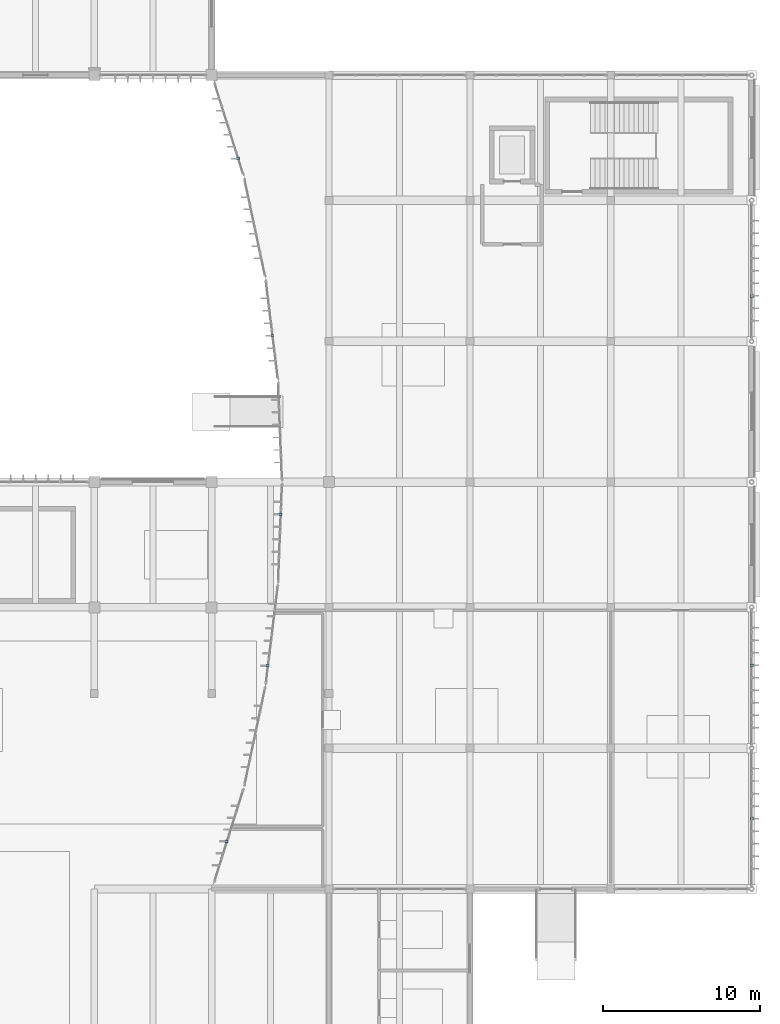
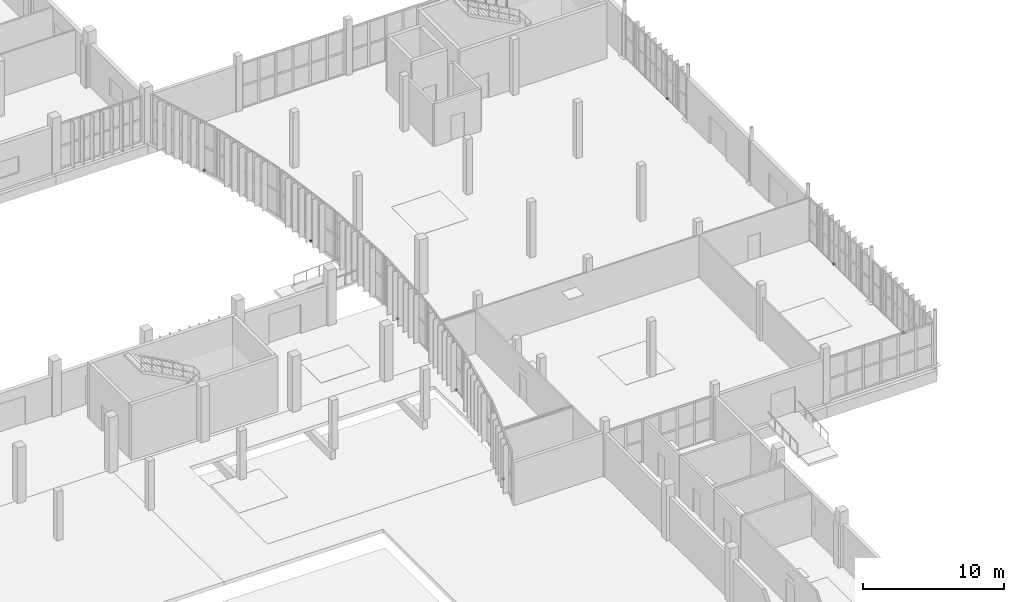
# One storey, part 58 of 72: 8 discrete accessories.
"""IFC4 building model written with IfcOpenShell, lengths in metres."""

import ifcopenshell
import ifcopenshell.guid

model = None  # the IFC model being written
_history = None  # IfcOwnerHistory: only IFC2X3 demands one
_inside = {}  # id of a spatial element -> (the spatial element, [elements in it])
_under = {}  # id of a project, library or spatial element -> (it, [spatial elements below it])
_declared = {}  # id of a project -> (the project, [libraries it declares])
_typed = {}  # id of a type object -> (the type object, [elements of that type])
_made_of = {}  # id of a material, layer set ... -> (it, [elements and type objects made of it])


def new_model(schema):
    """Start an empty IFC model of exactly this schema.

    Asked for "IFC4X3", IfcOpenShell would pick the latest addendum, in which some entities
    have other attributes; the version numbers below select the first issue.
    IFC2X3 requires an IfcOwnerHistory on every rooted entity: one is made here for all.
    """
    global model, _history
    if schema == "IFC4X3":
        model = ifcopenshell.file(schema_version=(4, 3, 0, 0))
    else:
        model = ifcopenshell.file(schema=schema)
    _inside.clear()
    _under.clear()
    _declared.clear()
    _typed.clear()
    _made_of.clear()
    _history = None
    if model.schema == "IFC2X3":
        org = make("IfcOrganization", Name="unknown")
        user = make(
            "IfcPersonAndOrganization",
            ThePerson=make("IfcPerson", FamilyName="unknown"),
            TheOrganization=org,
        )
        app = make(
            "IfcApplication",
            ApplicationDeveloper=org,
            Version="unknown",
            ApplicationFullName="unknown",
            ApplicationIdentifier="unknown",
        )
        _history = make(
            "IfcOwnerHistory",
            OwningUser=user,
            OwningApplication=app,
            ChangeAction="ADDED",
            CreationDate=0,
        )
    return model


def make(cls, **values):
    """One entity of the class cls with the attributes given. An attribute that is None is left unset."""
    return model.create_entity(
        cls, **{name: value for name, value in values.items() if value is not None}
    )


def rooted(cls, **values):
    """An entity with a GlobalId (a new one), such as an element, a storey or a relation."""
    return make(cls, GlobalId=ifcopenshell.guid.new(), OwnerHistory=_history, **values)


def si_unit(unit_type, name, prefix=None):
    """IfcSIUnit, for example si_unit("LENGTHUNIT", "METRE", prefix="MILLI")."""
    return make("IfcSIUnit", UnitType=unit_type, Prefix=prefix, Name=name)


def assignment(units):
    """IfcUnitAssignment: the units of a project."""
    return None if units is None else make("IfcUnitAssignment", Units=units)


def point(xyz):
    """IfcCartesianPoint."""
    return None if xyz is None else make("IfcCartesianPoint", Coordinates=xyz)


def direction(xyz):
    """IfcDirection."""
    return None if xyz is None else make("IfcDirection", DirectionRatios=xyz)


def frame(location, z_axis=None, x_axis=None):
    """IfcAxis2Placement3D, a coordinate frame: its origin and axes. An axis left out is left unset."""
    return make(
        "IfcAxis2Placement3D",
        Location=point(location),
        Axis=direction(z_axis),
        RefDirection=direction(x_axis),
    )


def frame_2d(location, x_axis=None):
    """IfcAxis2Placement2D, a coordinate frame in the plane: its origin and x axis."""
    return make(
        "IfcAxis2Placement2D", Location=point(location), RefDirection=direction(x_axis)
    )


def origin():
    """The frame at (0, 0, 0) with its axes left unset."""
    return frame((0.0, 0.0, 0.0))


def origin_2d():
    """The frame at (0, 0) in the plane with its x axis left unset."""
    return frame_2d((0.0, 0.0))


def place(relative_to, where):
    """IfcLocalPlacement: puts the frame where relative to a parent placement (None: the world)."""
    return make(
        "IfcLocalPlacement", PlacementRelTo=relative_to, RelativePlacement=where
    )


def context(
    kind, dimensions, precision=None, world=None, true_north=None, identifier=None
):
    """IfcGeometricRepresentationContext, for example the 3D "Model" context."""
    return make(
        "IfcGeometricRepresentationContext",
        ContextIdentifier=identifier,
        ContextType=kind,
        CoordinateSpaceDimension=dimensions,
        Precision=precision,
        WorldCoordinateSystem=world,
        TrueNorth=true_north,
    )


def subcontext(parent, identifier, kind, view, scale=None):
    """IfcGeometricRepresentationSubContext, for example "Body" below "Model"."""
    return make(
        "IfcGeometricRepresentationSubContext",
        ContextIdentifier=identifier,
        ContextType=kind,
        ParentContext=parent,
        TargetScale=scale,
        TargetView=view,
    )


def project(units=None, contexts=None):
    """IfcProject with its units and contexts."""
    return rooted(
        "IfcProject",
        Name="project",
        RepresentationContexts=contexts,
        UnitsInContext=assignment(units),
    )


def spatial(cls, under=None, at=None, **own):
    """A site, building, storey or space (cls), placed at a placement, below another one or the project."""
    s = rooted(cls, ObjectPlacement=at, **own)
    if under is not None:
        _under.setdefault(under.id(), (under, []))[1].append(s)
    return s


def profile(cls, at=None, kind="AREA", **sizes):
    """A parametric profile (cls). Its sizes go by their IFC names, for example OverallWidth=200.0."""
    return make(cls, ProfileType=kind, Position=at, **sizes)


def rectangle(**sizes):
    """IfcRectangleProfileDef."""
    return profile("IfcRectangleProfileDef", **sizes)


def extrude(swept, where, along, depth):
    """IfcExtrudedAreaSolid: the profile swept, set in the frame where, extruded along a direction by depth."""
    return make(
        "IfcExtrudedAreaSolid",
        SweptArea=swept,
        Position=where,
        ExtrudedDirection=direction(along),
        Depth=depth,
    )


def shape(context_of_items, identifier, shape_type, items):
    """IfcShapeRepresentation: the items that make up one representation, for example the "Body"."""
    return make(
        "IfcShapeRepresentation",
        ContextOfItems=context_of_items,
        RepresentationIdentifier=identifier,
        RepresentationType=shape_type,
        Items=items,
    )


def material(Name=None, Category=None):
    """IfcMaterial."""
    return make("IfcMaterial", Name=Name, Category=Category)


def made_of(thing, what):
    """Note that an element or type object is made of a material, layer set ...; save() writes the relation."""
    if what is not None:
        _made_of.setdefault(what.id(), (what, []))[1].append(thing)
    return thing


def type_object(cls, material=None, **own):
    """A type object (cls), such as IfcWallType, which elements share."""
    return made_of(rooted(cls, **own), material)


def element(
    cls,
    number,
    at=None,
    inside=None,
    cuts=None,
    type_object=None,
    material=None,
    context=None,
    identifier="Body",
    shape_type=None,
    held_by="IfcProductDefinitionShape",
    body=None,
    shapes=None,
    **own,
):
    """One element of the class cls, such as IfcWall. Its Tag is "e" and its number.

    at: its placement. inside: the storey or other place that contains it. cuts: it is an
    opening in that element (IfcRelVoidsElement). A single representation is given by context,
    identifier, shape_type and body (its items); several are given by shapes. held_by: the class
    of the entity that holds the representations. save() writes the other relations.
    """
    e = rooted(cls, Tag="e%d" % number, ObjectPlacement=at, **own)
    if body is not None:
        shapes = [shape(context, identifier, shape_type, body)]
    if shapes is not None:
        e.Representation = make(held_by, Representations=shapes)
    if inside is not None:
        _inside.setdefault(inside.id(), (inside, []))[1].append(e)
    if cuts is not None:
        rooted(
            "IfcRelVoidsElement", RelatingBuildingElement=cuts, RelatedOpeningElement=e
        )
    if type_object is not None:
        _typed.setdefault(type_object.id(), (type_object, []))[1].append(e)
    return made_of(e, material)


def aggregate(whole, parts):
    """IfcRelAggregates: a whole, such as a stair, and the parts it consists of."""
    return rooted("IfcRelAggregates", RelatingObject=whole, RelatedObjects=parts)


def save(model, path):
    """Write the relations noted so far, then the file.

    IfcRelAggregates (storeys below a building ...), IfcRelContainedInSpatialStructure (elements
    in a storey), IfcRelDefinesByType, IfcRelAssociatesMaterial and IfcRelDeclares: one each for
    every whole, place, type object, material and project.
    """
    for whole, parts in _under.values():
        aggregate(whole, parts)
    for where, things in _inside.values():
        rooted(
            "IfcRelContainedInSpatialStructure",
            RelatedElements=things,
            RelatingStructure=where,
        )
    for kind, things in _typed.values():
        rooted("IfcRelDefinesByType", RelatedObjects=things, RelatingType=kind)
    for what, things in _made_of.values():
        rooted("IfcRelAssociatesMaterial", RelatedObjects=things, RelatingMaterial=what)
    for by, libraries in _declared.values():
        rooted("IfcRelDeclares", RelatingContext=by, RelatedDefinitions=libraries)
    model.write(path)


model = new_model("IFC4")

# Units and contexts
model_context = context("Model", 3, precision=1e-05, world=origin(), true_north=direction((0.0, 1.0)))
body_context = subcontext(model_context, "Body", "Model", "MODEL_VIEW")
ifc_project = project(units=[si_unit("LENGTHUNIT", "METRE"), si_unit("AREAUNIT", "SQUARE_METRE"), si_unit("VOLUMEUNIT", "CUBIC_METRE"), si_unit("PLANEANGLEUNIT", "RADIAN"), si_unit("MASSUNIT", "GRAM", prefix="KILO")], contexts=[model_context])

# Site, building, storey
site_placement = place(None, origin())
site = spatial("IfcSite", under=ifc_project, at=site_placement, CompositionType="ELEMENT")
building_placement = place(site_placement, origin())
building = spatial("IfcBuilding", under=site, at=building_placement, Name="Vourika Railside Aquatics Centre", CompositionType="ELEMENT")
storey_placement = place(building_placement, origin())
storey = spatial("IfcBuildingStorey", under=building, at=storey_placement, Name="L00", CompositionType="ELEMENT", Elevation=0.0)

# Discrete accessories
ifc_material = material(Name="Duplex stainless steel EN 1.4462", Category="steel")
discrete_accessory_type = type_object("IfcDiscreteAccessoryType", Name="ACC-BRK-180", PredefinedType="BRACKET", material=ifc_material)
for number, where, z_axis, x_axis, name in (
    (1, (134.45458984375, 43.038330078125, 0.0), (0.0, 0.0, 1.0), (-1.0, 0.0, 0.0), "Stainless Fin Shoe Bracket BK-033"),
    (2, (137.07568359375, 54.264892578125, 0.0), (0.0, 0.0, 1.0), (-1.0, 0.0, 0.0), "Stainless Fin Shoe Bracket BK-034"),
    (3, (137.8935546875, 63.948974609375, 0.0), (0.0, 0.0, 1.0), (-1.0, 0.0, 0.0), "Stainless Fin Shoe Bracket BK-035"),
    (4, (137.3671875, 75.35302734375, 0.0), (0.0, 0.0, 1.0), (-1.0, 0.0, 0.0), "Stainless Fin Shoe Bracket BK-036"),
    (5, (135.17431640625, 86.672119140625, 0.0), (0.0, 0.0, 1.0), (-1.0, 0.0, 0.0), "Stainless Fin Shoe Bracket BK-037"),
    (6, (168.030029296875, 44.5, 0.0), (0.0, 0.0, 1.0), (1.0, 0.0, 0.0), "Stainless Fin Shoe Bracket BK-038"),
    (7, (168.030029296875, 54.300048828125, 0.0), (0.0, 0.0, 1.0), (1.0, 0.0, 0.0), "Stainless Fin Shoe Bracket BK-039"),
    (8, (168.030029296875, 77.89990234375, 0.0), (0.0, 0.0, 1.0), (1.0, 0.0, 0.0), "Stainless Fin Shoe Bracket BK-040"),
):
    element("IfcDiscreteAccessory", number, at=place(storey_placement, frame(where, z_axis=z_axis, x_axis=x_axis)), inside=storey, type_object=discrete_accessory_type, Name=name, PredefinedType="BRACKET", context=body_context, shape_type="SweptSolid", body=[
        extrude(rectangle(XDim=0.179931640625, YDim=0.179931640625, at=origin_2d()), origin(), (0.0, 0.0, 1.0), 0.1201171875),
    ])

save(model, "model.ifc")
